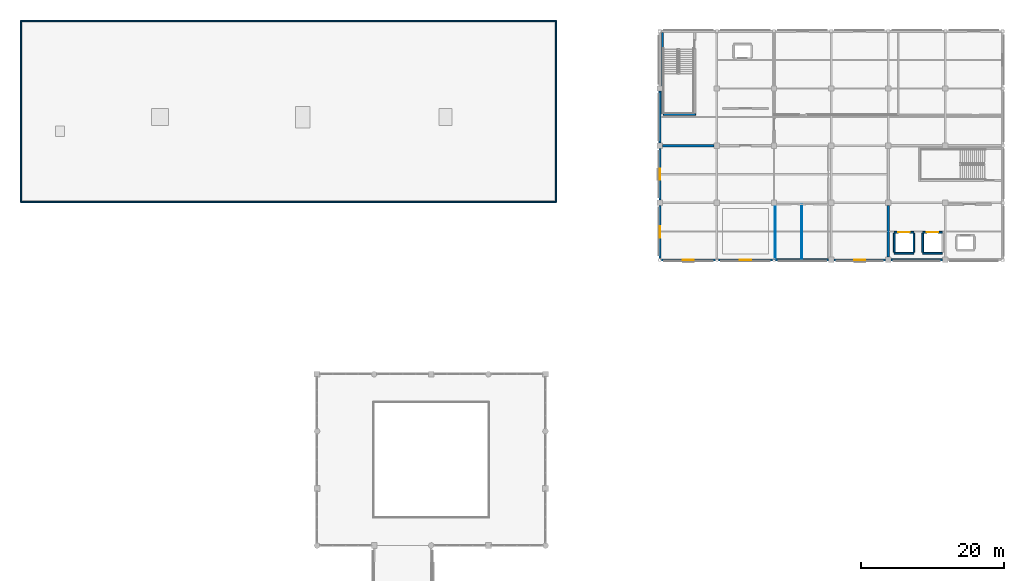
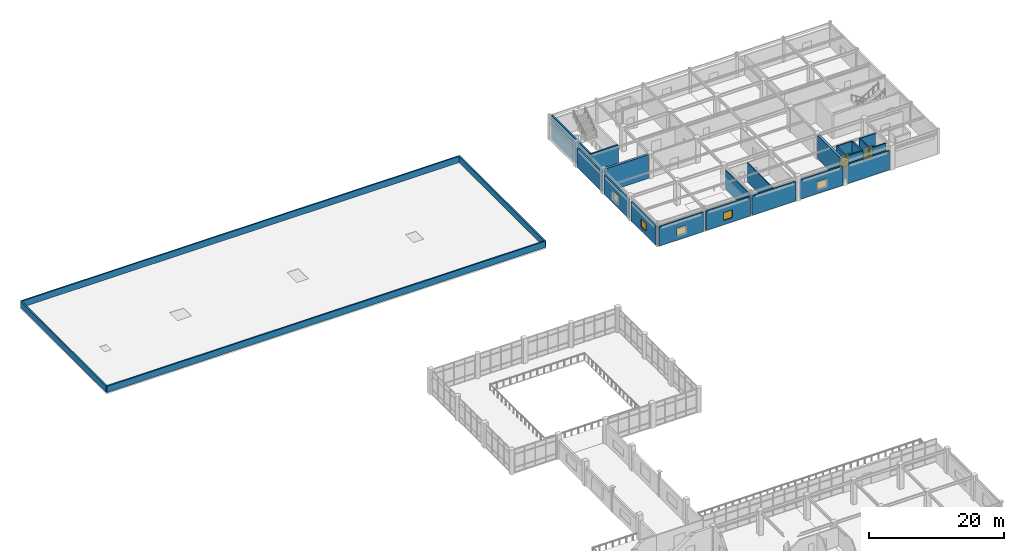
# One storey, part 33 of 42: 25 walls, 5 windows, 2 doors, 7 openings.
"""IFC4 building model written with IfcOpenShell, lengths in metres."""

from ifc_helpers import new_model, si_unit, direction, frame, frame_2d, origin, place, context, subcontext, project, spatial, rectangle, extrude, material, layer, layer_set, type_object, element, fill, save


model = new_model("IFC4")

# Units and contexts
model_context = context("Model", 3, precision=1e-05, world=origin(), true_north=direction((0.0, 1.0)))
body_context = subcontext(model_context, "Body", "Model", "MODEL_VIEW")
ifc_project = project(units=[si_unit("LENGTHUNIT", "METRE"), si_unit("AREAUNIT", "SQUARE_METRE"), si_unit("VOLUMEUNIT", "CUBIC_METRE"), si_unit("PLANEANGLEUNIT", "RADIAN"), si_unit("MASSUNIT", "GRAM", prefix="KILO")], contexts=[model_context])

# Site, building, storey
site_placement = place(None, origin())
site = spatial("IfcSite", under=ifc_project, at=site_placement, CompositionType="ELEMENT")
building_placement = place(site_placement, origin())
building = spatial("IfcBuilding", under=site, at=building_placement, Name="Solmirada Galleria", CompositionType="ELEMENT")
storey_placement = place(building_placement, frame((0.0, 0.0, 28.39990234375)))
storey = spatial("IfcBuildingStorey", under=building, at=storey_placement, Name="L06", CompositionType="ELEMENT", Elevation=28.39990234375)

# Walls
ifc_material_1 = material(Name="Concrete C40/50", Category="concrete")
ifc_layer_1 = layer(ifc_material_1, 0.3798828125)
ifc_layer_set_1 = layer_set([ifc_layer_1], Name="Concrete C40/50")
wall_type_1 = type_object("IfcWallType", Name="WL-CORE-380", PredefinedType="SHEAR", material=ifc_layer_set_1)
for number, where, z_axis, x_axis, name in (
    (1, (128.375, 104.0, 0.0), (0.0, 0.0, 1.0), (1.0, 0.0, 0.0), "Core C3 shear wall L06 S1"),
    (2, (160.0, 88.375, 0.0), (0.0, 0.0, 1.0), (0.0, 1.0, 0.0), "Core C4 shear wall L06 W1"),
):
    element("IfcWall", number, at=place(storey_placement, frame(where, z_axis=z_axis, x_axis=x_axis)), inside=storey, type_object=wall_type_1, Name=name, PredefinedType="SHEAR", context=body_context, shape_type="SweptSolid", body=[
        extrude(rectangle(XDim=7.25, YDim=0.3798828125, at=frame_2d((3.625, 0.0))), origin(), (0.0, 0.0, 1.0), 4.280029296875),
    ])
ifc_material_2 = material(Name="Precast concrete C40/50", Category="concrete")
ifc_layer_2 = layer(ifc_material_2, 0.27001953125)
ifc_layer_set_2 = layer_set([ifc_layer_2], Name="Precast concrete C40/50")
wall_type_2 = type_object("IfcWallType", Name="WL-EXT-270", PredefinedType="STANDARD", material=ifc_layer_set_2)
wall_1_placement = place(storey_placement, frame((167.625, 88.0, 0.0), z_axis=(0.0, 0.0, 1.0), x_axis=(-1.0, 0.0, 0.0)))
element("IfcWall", 3, at=wall_1_placement, inside=storey, type_object=wall_type_2, Name="Exterior wall L06 bay 049", PredefinedType="STANDARD", context=body_context, shape_type="SweptSolid", body=[
    extrude(rectangle(XDim=7.25, YDim=0.27001953125, at=frame_2d((3.625, 0.0))), origin(), (0.0, 0.0, 1.0), 3.47998046875),
])

# Wall, opening, window
wall_2_placement = place(storey_placement, frame((159.625, 88.0, 0.0), z_axis=(0.0, 0.0, 1.0), x_axis=(-1.0, 0.0, 0.0)))
wall_2 = element("IfcWall", 4, at=wall_2_placement, inside=storey, type_object=wall_type_2, Name="Exterior wall L06 bay 050", PredefinedType="STANDARD", context=body_context, shape_type="SweptSolid", body=[
    extrude(rectangle(XDim=7.25, YDim=0.27001953125, at=frame_2d((3.625, 0.0))), origin(), (0.0, 0.0, 1.0), 3.47998046875),
])
opening_1_placement = place(wall_2_placement, frame((2.85009765625, 0.0, 0.800048828125)))
opening_1 = element("IfcOpeningElement", 5, at=opening_1_placement, cuts=wall_2, Name="Opening WN14", PredefinedType="OPENING", context=body_context, shape_type="SweptSolid", body=[
    extrude(rectangle(XDim=1.550048828125, YDim=1.39990234375, at=frame_2d((0.77490234375, 0.699951171875))), frame((0.0, 0.14501953125, 0.0), z_axis=(0.0, -1.0, 0.0), x_axis=(1.0, 0.0, 0.0)), (0.0, 0.0, 1.0), 0.2900390625),
])
ifc_material_3 = material(Name="Impact-resistant low-E double glazing", Category="glass")
window_type = type_object("IfcWindowType", Name="WIN-OFF-155X140", PartitioningType="SINGLE_PANEL", PredefinedType="WINDOW", material=ifc_material_3)
window_1_placement = place(opening_1_placement, origin())
window_1 = element("IfcWindow", 6, at=window_1_placement, inside=storey, type_object=window_type, Name="Window L06-206", OverallHeight=1.39990234375, OverallWidth=1.550048828125, PartitioningType="SINGLE_PANEL", PredefinedType="WINDOW", context=body_context, shape_type="SweptSolid", body=[
    extrude(rectangle(XDim=1.550048828125, YDim=1.39990234375, at=frame_2d((0.77490234375, 0.699951171875))), frame((0.0, 0.030029296875, 0.0), z_axis=(0.0, -1.0, 0.0), x_axis=(1.0, 0.0, 0.0)), (0.0, 0.0, 1.0), 0.06005859375),
])
fill(opening_1, window_1)

# Wall
wall_3_placement = place(storey_placement, frame((151.625, 88.0, 0.0), z_axis=(0.0, 0.0, 1.0), x_axis=(-1.0, 0.0, 0.0)))
element("IfcWall", 7, at=wall_3_placement, inside=storey, type_object=wall_type_2, Name="Exterior wall L06 bay 051", PredefinedType="STANDARD", context=body_context, shape_type="SweptSolid", body=[
    extrude(rectangle(XDim=7.422119140625, YDim=0.27001953125, at=frame_2d((3.7109375, 0.0))), origin(), (0.0, 0.0, 1.0), 3.47998046875),
])

# Wall, opening, window
wall_4_placement = place(storey_placement, frame((143.797119140625, 88.0, 0.0), z_axis=(0.0, 0.0, 1.0), x_axis=(-1.0, 0.0, 0.0)))
wall_4 = element("IfcWall", 8, at=wall_4_placement, inside=storey, type_object=wall_type_2, Name="Exterior wall L06 bay 052", PredefinedType="STANDARD", context=body_context, shape_type="SweptSolid", body=[
    extrude(rectangle(XDim=7.59423828125, YDim=0.27001953125, at=frame_2d((3.797119140625, 0.0))), origin(), (0.0, 0.0, 1.0), 3.47998046875),
])
opening_2_placement = place(wall_4_placement, frame((3.02197265625, 0.0, 0.800048828125)))
opening_2 = element("IfcOpeningElement", 9, at=opening_2_placement, cuts=wall_4, Name="Opening WN14", PredefinedType="OPENING", context=body_context, shape_type="SweptSolid", body=[
    extrude(rectangle(XDim=1.550048828125, YDim=1.39990234375, at=frame_2d((0.77490234375, 0.699951171875))), frame((0.0, 0.14501953125, 0.0), z_axis=(0.0, -1.0, 0.0), x_axis=(1.0, 0.0, 0.0)), (0.0, 0.0, 1.0), 0.2900390625),
])
window_2_placement = place(opening_2_placement, origin())
window_2 = element("IfcWindow", 10, at=window_2_placement, inside=storey, type_object=window_type, Name="Window L06-207", OverallHeight=1.39990234375, OverallWidth=1.550048828125, PartitioningType="SINGLE_PANEL", PredefinedType="WINDOW", context=body_context, shape_type="SweptSolid", body=[
    extrude(rectangle(XDim=1.550048828125, YDim=1.39990234375, at=frame_2d((0.77490234375, 0.699951171875))), frame((0.0, 0.030029296875, 0.0), z_axis=(0.0, -1.0, 0.0), x_axis=(1.0, 0.0, 0.0)), (0.0, 0.0, 1.0), 0.06005859375),
])
fill(opening_2, window_2)

wall_5_placement = place(storey_placement, frame((135.797119140625, 88.0, 0.0), z_axis=(0.0, 0.0, 1.0), x_axis=(-1.0, 0.0, 0.0)))
wall_5 = element("IfcWall", 11, at=wall_5_placement, inside=storey, type_object=wall_type_2, Name="Exterior wall L06 bay 053", PredefinedType="STANDARD", context=body_context, shape_type="SweptSolid", body=[
    extrude(rectangle(XDim=7.59423828125, YDim=0.27001953125, at=frame_2d((3.797119140625, 0.0))), origin(), (0.0, 0.0, 1.0), 3.47998046875),
])
opening_3_placement = place(wall_5_placement, frame((3.02197265625, 0.0, 0.800048828125)))
opening_3 = element("IfcOpeningElement", 12, at=opening_3_placement, cuts=wall_5, Name="Opening WN14", PredefinedType="OPENING", context=body_context, shape_type="SweptSolid", body=[
    extrude(rectangle(XDim=1.550048828125, YDim=1.39990234375, at=frame_2d((0.77490234375, 0.699951171875))), frame((0.0, 0.14501953125, 0.0), z_axis=(0.0, -1.0, 0.0), x_axis=(1.0, 0.0, 0.0)), (0.0, 0.0, 1.0), 0.2900390625),
])
window_3_placement = place(opening_3_placement, origin())
window_3 = element("IfcWindow", 13, at=window_3_placement, inside=storey, type_object=window_type, Name="Window L06-208", OverallHeight=1.39990234375, OverallWidth=1.550048828125, PartitioningType="SINGLE_PANEL", PredefinedType="WINDOW", context=body_context, shape_type="SweptSolid", body=[
    extrude(rectangle(XDim=1.550048828125, YDim=1.39990234375, at=frame_2d((0.77490234375, 0.699951171875))), frame((0.0, 0.030029296875, 0.0), z_axis=(0.0, -1.0, 0.0), x_axis=(1.0, 0.0, 0.0)), (0.0, 0.0, 1.0), 0.06005859375),
])
fill(opening_3, window_3)

wall_6_placement = place(storey_placement, frame((128.0, 88.202880859375, 0.0), z_axis=(0.0, 0.0, 1.0), x_axis=(0.0, 1.0, 0.0)))
wall_6 = element("IfcWall", 14, at=wall_6_placement, inside=storey, type_object=wall_type_2, Name="Exterior wall L06 bay 054", PredefinedType="STANDARD", context=body_context, shape_type="SweptSolid", body=[
    extrude(rectangle(XDim=7.422119140625, YDim=0.27001953125, at=frame_2d((3.7109375, 0.0))), origin(), (0.0, 0.0, 1.0), 3.47998046875),
])
opening_4_placement = place(wall_6_placement, frame((2.93603515625, 0.0, 0.800048828125)))
opening_4 = element("IfcOpeningElement", 15, at=opening_4_placement, cuts=wall_6, Name="Opening WN14", PredefinedType="OPENING", context=body_context, shape_type="SweptSolid", body=[
    extrude(rectangle(XDim=1.550048828125, YDim=1.39990234375, at=frame_2d((0.77490234375, 0.699951171875))), frame((0.0, 0.14501953125, 0.0), z_axis=(0.0, -1.0, 0.0), x_axis=(1.0, 0.0, 0.0)), (0.0, 0.0, 1.0), 0.2900390625),
])
window_4_placement = place(opening_4_placement, origin())
window_4 = element("IfcWindow", 16, at=window_4_placement, inside=storey, type_object=window_type, Name="Window L06-209", OverallHeight=1.39990234375, OverallWidth=1.550048828125, PartitioningType="SINGLE_PANEL", PredefinedType="WINDOW", context=body_context, shape_type="SweptSolid", body=[
    extrude(rectangle(XDim=1.550048828125, YDim=1.39990234375, at=frame_2d((0.77490234375, 0.699951171875))), frame((0.0, 0.030029296875, 0.0), z_axis=(0.0, -1.0, 0.0), x_axis=(1.0, 0.0, 0.0)), (0.0, 0.0, 1.0), 0.06005859375),
])
fill(opening_4, window_4)

wall_7_placement = place(storey_placement, frame((128.0, 96.375, 0.0), z_axis=(0.0, 0.0, 1.0), x_axis=(0.0, 1.0, 0.0)))
wall_7 = element("IfcWall", 17, at=wall_7_placement, inside=storey, type_object=wall_type_2, Name="Exterior wall L06 bay 055", PredefinedType="STANDARD", context=body_context, shape_type="SweptSolid", body=[
    extrude(rectangle(XDim=7.25, YDim=0.27001953125, at=frame_2d((3.625, 0.0))), origin(), (0.0, 0.0, 1.0), 3.47998046875),
])
opening_5_placement = place(wall_7_placement, frame((2.85009765625, 0.0, 0.800048828125)))
opening_5 = element("IfcOpeningElement", 18, at=opening_5_placement, cuts=wall_7, Name="Opening WN14", PredefinedType="OPENING", context=body_context, shape_type="SweptSolid", body=[
    extrude(rectangle(XDim=1.550048828125, YDim=1.39990234375, at=frame_2d((0.77490234375, 0.699951171875))), frame((0.0, 0.14501953125, 0.0), z_axis=(0.0, -1.0, 0.0), x_axis=(1.0, 0.0, 0.0)), (0.0, 0.0, 1.0), 0.2900390625),
])
window_5_placement = place(opening_5_placement, origin())
window_5 = element("IfcWindow", 19, at=window_5_placement, inside=storey, type_object=window_type, Name="Window L06-210", OverallHeight=1.39990234375, OverallWidth=1.550048828125, PartitioningType="SINGLE_PANEL", PredefinedType="WINDOW", context=body_context, shape_type="SweptSolid", body=[
    extrude(rectangle(XDim=1.550048828125, YDim=1.39990234375, at=frame_2d((0.77490234375, 0.699951171875))), frame((0.0, 0.030029296875, 0.0), z_axis=(0.0, -1.0, 0.0), x_axis=(1.0, 0.0, 0.0)), (0.0, 0.0, 1.0), 0.06005859375),
])
fill(opening_5, window_5)

# Wall
wall_8_placement = place(storey_placement, frame((128.0, 104.375, 0.0), z_axis=(0.0, 0.0, 1.0), x_axis=(0.0, 1.0, 0.0)))
element("IfcWall", 20, at=wall_8_placement, inside=storey, type_object=wall_type_2, Name="Exterior wall L06 bay 056", PredefinedType="STANDARD", context=body_context, shape_type="SweptSolid", body=[
    extrude(rectangle(XDim=7.25, YDim=0.27001953125, at=frame_2d((3.625, 0.0))), origin(), (0.0, 0.0, 1.0), 3.47998046875),
])

# Wall, opening, door
ifc_layer_3 = layer(ifc_material_1, 0.239990234375)
ifc_layer_set_3 = layer_set([ifc_layer_3], Name="Concrete C40/50")
wall_type_3 = type_object("IfcWallType", Name="WL-HOIST-240", PredefinedType="PARTITIONING", material=ifc_layer_set_3)
wall_9_placement = place(storey_placement, frame((164.820068359375, 91.8798828125, 0.0), z_axis=(0.0, 0.0, 1.0), x_axis=(1.0, 0.0, 0.0)))
wall_9 = element("IfcWall", 21, at=wall_9_placement, inside=storey, type_object=wall_type_3, Name="Lift GF1 hoistway front wall L06", PredefinedType="PARTITIONING", context=body_context, shape_type="SweptSolid", body=[
    extrude(rectangle(XDim=2.760009765625, YDim=0.239990234375, at=frame_2d((1.3798828125, 0.0))), origin(), (0.0, 0.0, 1.0), 4.280029296875),
])
opening_6_placement = place(wall_9_placement, frame((0.580078125, 0.0, 0.0)))
opening_6 = element("IfcOpeningElement", 22, at=opening_6_placement, cuts=wall_9, Name="Opening LD-GF1-L06", PredefinedType="OPENING", context=body_context, shape_type="SweptSolid", body=[
    extrude(rectangle(XDim=1.60009765625, YDim=2.300048828125, at=frame_2d((0.800048828125, 1.14990234375))), frame((0.0, 0.1298828125, 0.0), z_axis=(0.0, -1.0, 0.0), x_axis=(1.0, 0.0, 0.0)), (0.0, 0.0, 1.0), 0.260009765625),
])
ifc_material_4 = material(Name="Brushed stainless-steel sliding landing door", Category="steel")
door_type = type_object("IfcDoorType", Name="DR-LIFT-160X230", OperationType="SLIDING_TO_LEFT", PredefinedType="DOOR", material=ifc_material_4)
door_1_placement = place(opening_6_placement, origin())
door_1 = element("IfcDoor", 23, at=door_1_placement, inside=storey, type_object=door_type, Name="Lift GF1 sliding landing door L06", OperationType="SLIDING_TO_LEFT", OverallHeight=2.300048828125, OverallWidth=1.60009765625, PredefinedType="DOOR", context=body_context, shape_type="SweptSolid", body=[
    extrude(rectangle(XDim=1.60009765625, YDim=2.300048828125, at=frame_2d((0.800048828125, 1.14990234375))), frame((0.0, 0.02490234375, 0.0), z_axis=(0.0, -1.0, 0.0), x_axis=(1.0, 0.0, 0.0)), (0.0, 0.0, 1.0), 0.050048828125),
])
fill(opening_6, door_1)

# Walls
wall_10_placement = place(storey_placement, frame((164.820068359375, 88.919921875, 0.0), z_axis=(0.0, 0.0, 1.0), x_axis=(1.0, 0.0, 0.0)))
element("IfcWall", 24, at=wall_10_placement, inside=storey, type_object=wall_type_3, Name="Lift GF1 hoistway rear wall L06", PredefinedType="PARTITIONING", context=body_context, shape_type="SweptSolid", body=[
    extrude(rectangle(XDim=2.760009765625, YDim=0.239990234375, at=frame_2d((1.3798828125, 0.0))), origin(), (0.0, 0.0, 1.0), 4.280029296875),
])
wall_11_placement = place(storey_placement, frame((164.820068359375, 89.06005859375, 0.0), z_axis=(0.0, 0.0, 1.0), x_axis=(0.0, 1.0, 0.0)))
element("IfcWall", 25, at=wall_11_placement, inside=storey, type_object=wall_type_3, Name="Lift GF1 hoistway side wall L L06", PredefinedType="PARTITIONING", context=body_context, shape_type="SweptSolid", body=[
    extrude(rectangle(XDim=2.679931640625, YDim=0.239990234375, at=frame_2d((1.33984375, 0.0))), origin(), (0.0, 0.0, 1.0), 4.280029296875),
])

# Wall, opening, door
wall_12_placement = place(storey_placement, frame((160.820068359375, 91.8798828125, 0.0), z_axis=(0.0, 0.0, 1.0), x_axis=(1.0, 0.0, 0.0)))
wall_12 = element("IfcWall", 26, at=wall_12_placement, inside=storey, type_object=wall_type_3, Name="Lift GF2 hoistway front wall L06", PredefinedType="PARTITIONING", context=body_context, shape_type="SweptSolid", body=[
    extrude(rectangle(XDim=2.760009765625, YDim=0.239990234375, at=frame_2d((1.3798828125, 0.0))), origin(), (0.0, 0.0, 1.0), 4.280029296875),
])
opening_7_placement = place(wall_12_placement, frame((0.580078125, 0.0, 0.0)))
opening_7 = element("IfcOpeningElement", 27, at=opening_7_placement, cuts=wall_12, Name="Opening LD-GF2-L06", PredefinedType="OPENING", context=body_context, shape_type="SweptSolid", body=[
    extrude(rectangle(XDim=1.60009765625, YDim=2.300048828125, at=frame_2d((0.800048828125, 1.14990234375))), frame((0.0, 0.1298828125, 0.0), z_axis=(0.0, -1.0, 0.0), x_axis=(1.0, 0.0, 0.0)), (0.0, 0.0, 1.0), 0.260009765625),
])
door_2_placement = place(opening_7_placement, origin())
door_2 = element("IfcDoor", 28, at=door_2_placement, inside=storey, type_object=door_type, Name="Lift GF2 sliding landing door L06", OperationType="SLIDING_TO_LEFT", OverallHeight=2.300048828125, OverallWidth=1.60009765625, PredefinedType="DOOR", context=body_context, shape_type="SweptSolid", body=[
    extrude(rectangle(XDim=1.60009765625, YDim=2.300048828125, at=frame_2d((0.800048828125, 1.14990234375))), frame((0.0, 0.02490234375, 0.0), z_axis=(0.0, -1.0, 0.0), x_axis=(1.0, 0.0, 0.0)), (0.0, 0.0, 1.0), 0.050048828125),
])
fill(opening_7, door_2)

# Walls
wall_13_placement = place(storey_placement, frame((160.820068359375, 88.919921875, 0.0), z_axis=(0.0, 0.0, 1.0), x_axis=(1.0, 0.0, 0.0)))
element("IfcWall", 29, at=wall_13_placement, inside=storey, type_object=wall_type_3, Name="Lift GF2 hoistway rear wall L06", PredefinedType="PARTITIONING", context=body_context, shape_type="SweptSolid", body=[
    extrude(rectangle(XDim=2.760009765625, YDim=0.239990234375, at=frame_2d((1.3798828125, 0.0))), origin(), (0.0, 0.0, 1.0), 4.280029296875),
])
for number, where, z_axis, x_axis, name in (
    (30, (160.820068359375, 89.06005859375, 0.0), (0.0, 0.0, 1.0), (0.0, 1.0, 0.0), "Lift GF2 hoistway side wall L L06"),
    (31, (163.580078125, 89.06005859375, 0.0), (0.0, 0.0, 1.0), (0.0, 1.0, 0.0), "Lift GF2 hoistway side wall R L06"),
):
    element("IfcWall", number, at=place(storey_placement, frame(where, z_axis=z_axis, x_axis=x_axis)), inside=storey, type_object=wall_type_3, Name=name, PredefinedType="PARTITIONING", context=body_context, shape_type="SweptSolid", body=[
        extrude(rectangle(XDim=2.679931640625, YDim=0.239990234375, at=frame_2d((1.33984375, 0.0))), origin(), (0.0, 0.0, 1.0), 4.280029296875),
    ])
ifc_layer_4 = layer(ifc_material_2, 0.22998046875)
ifc_layer_set_4 = layer_set([ifc_layer_4], Name="Precast concrete C40/50")
wall_type_4 = type_object("IfcWallType", Name="WL-PAR-230", PredefinedType="PARAPET", material=ifc_layer_set_4)
wall_14_placement = place(storey_placement, frame((38.52001953125, 96.1201171875, 0.0), z_axis=(0.0, 0.0, 1.0), x_axis=(1.0, 0.0, 0.0)))
element("IfcWall", 32, at=wall_14_placement, inside=storey, type_object=wall_type_4, Name="Roof parapet ROOF-NORTH-MAIN side 1", PredefinedType="PARAPET", context=body_context, shape_type="SweptSolid", body=[
    extrude(rectangle(XDim=74.9599609375, YDim=0.22998046875, at=frame_2d((37.47998046875, 0.0))), origin(), (0.0, 0.0, 1.0), 1.150146484375),
])
wall_15_placement = place(storey_placement, frame((113.47998046875, 96.1201171875, 0.0), z_axis=(0.0, 0.0, 1.0), x_axis=(0.0, 1.0, 0.0)))
element("IfcWall", 33, at=wall_15_placement, inside=storey, type_object=wall_type_4, Name="Roof parapet ROOF-NORTH-MAIN side 2", PredefinedType="PARAPET", context=body_context, shape_type="SweptSolid", body=[
    extrude(rectangle(XDim=25.35986328125, YDim=0.22998046875, at=frame_2d((12.679931640625, 0.0))), origin(), (0.0, 0.0, 1.0), 1.150146484375),
])
wall_16_placement = place(storey_placement, frame((113.47998046875, 121.47998046875, 0.0), z_axis=(0.0, 0.0, 1.0), x_axis=(-1.0, 0.0, 0.0)))
element("IfcWall", 34, at=wall_16_placement, inside=storey, type_object=wall_type_4, Name="Roof parapet ROOF-NORTH-MAIN side 3", PredefinedType="PARAPET", context=body_context, shape_type="SweptSolid", body=[
    extrude(rectangle(XDim=74.9599609375, YDim=0.22998046875, at=frame_2d((37.47998046875, 0.0))), origin(), (0.0, 0.0, 1.0), 1.150146484375),
])
wall_17_placement = place(storey_placement, frame((38.52001953125, 121.47998046875, 0.0), z_axis=(0.0, 0.0, 1.0), x_axis=(0.0, -1.0, 0.0)))
element("IfcWall", 35, at=wall_17_placement, inside=storey, type_object=wall_type_4, Name="Roof parapet ROOF-NORTH-MAIN side 4", PredefinedType="PARAPET", context=body_context, shape_type="SweptSolid", body=[
    extrude(rectangle(XDim=25.35986328125, YDim=0.22998046875, at=frame_2d((12.679931640625, 0.0))), origin(), (0.0, 0.0, 1.0), 1.150146484375),
])
ifc_material_5 = material(Name="Acoustic gypsum board partition")
ifc_layer_5 = layer(ifc_material_5, 0.135009765625)
ifc_layer_set_5 = layer_set([ifc_layer_5], Name="Acoustic gypsum board partition")
wall_type_5 = type_object("IfcWallType", Name="WL-PART-135", PredefinedType="PARTITIONING", material=ifc_layer_set_5)
for number, where, z_axis, x_axis, name in (
    (36, (144.14990234375, 88.14990234375, 0.0), (0.0, 0.0, 1.0), (0.0, 1.0, 0.0), "Partition L06-167 (Staff WC West L06)"),
    (37, (147.89990234375, 88.14990234375, 0.0), (0.0, 0.0, 1.0), (0.0, 1.0, 0.0), "Partition L06-168 (Staff WC Divider L06)"),
):
    element("IfcWall", number, at=place(storey_placement, frame(where, z_axis=z_axis, x_axis=x_axis)), inside=storey, type_object=wall_type_5, Name=name, PredefinedType="PARTITIONING", context=body_context, shape_type="SweptSolid", body=[
        extrude(rectangle(XDim=7.650146484375, YDim=0.135009765625, at=frame_2d((3.8251953125, 0.0))), origin(), (0.0, 0.0, 1.0), 3.47998046875),
    ])
ifc_layer_6 = layer(ifc_material_1, 0.260009765625)
ifc_layer_set_6 = layer_set([ifc_layer_6], Name="Concrete C40/50")
wall_type_6 = type_object("IfcWallType", Name="WL-SHAFT-260", PredefinedType="SHEAR", material=ifc_layer_set_6)
wall_18_placement = place(storey_placement, frame((128.5, 108.3701171875, 0.0), z_axis=(0.0, 0.0, 1.0), x_axis=(1.0, 0.0, 0.0)))
element("IfcWall", 38, at=wall_18_placement, inside=storey, type_object=wall_type_6, Name="Stair ST3 enclosure wall L06 S", PredefinedType="SHEAR", context=body_context, shape_type="SweptSolid", body=[
    extrude(rectangle(XDim=4.510009765625, YDim=0.260009765625, at=frame_2d((2.2548828125, 0.0))), origin(), (0.0, 0.0, 1.0), 4.280029296875),
])
wall_19_placement = place(storey_placement, frame((128.3701171875, 108.5, 0.0), z_axis=(0.0, 0.0, 1.0), x_axis=(0.0, 1.0, 0.0)))
element("IfcWall", 39, at=wall_19_placement, inside=storey, type_object=wall_type_6, Name="Stair ST3 enclosure wall L06 W", PredefinedType="SHEAR", context=body_context, shape_type="SweptSolid", body=[
    extrude(rectangle(XDim=11.35498046875, YDim=0.260009765625, at=frame_2d((5.677490234375, 0.0))), origin(), (0.0, 0.0, 1.0), 4.280029296875),
])

save(model, "model.ifc")
